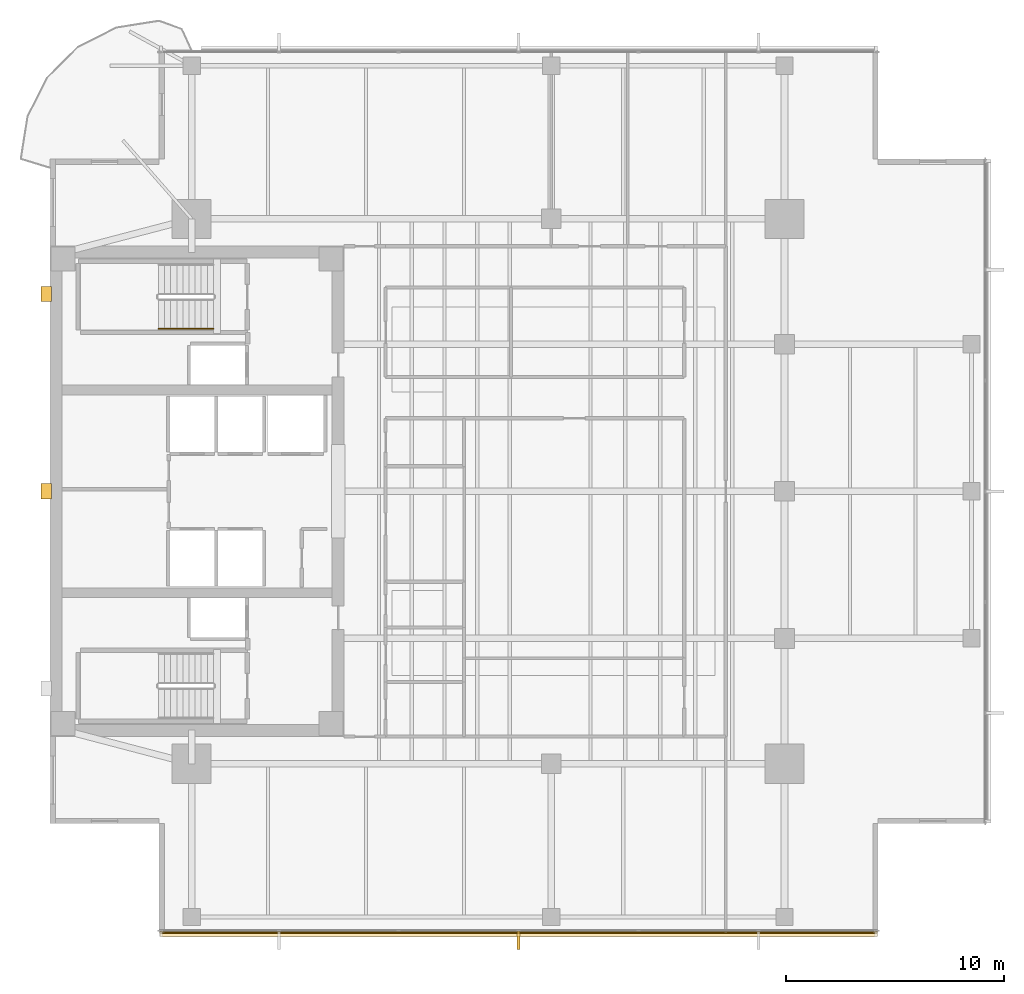
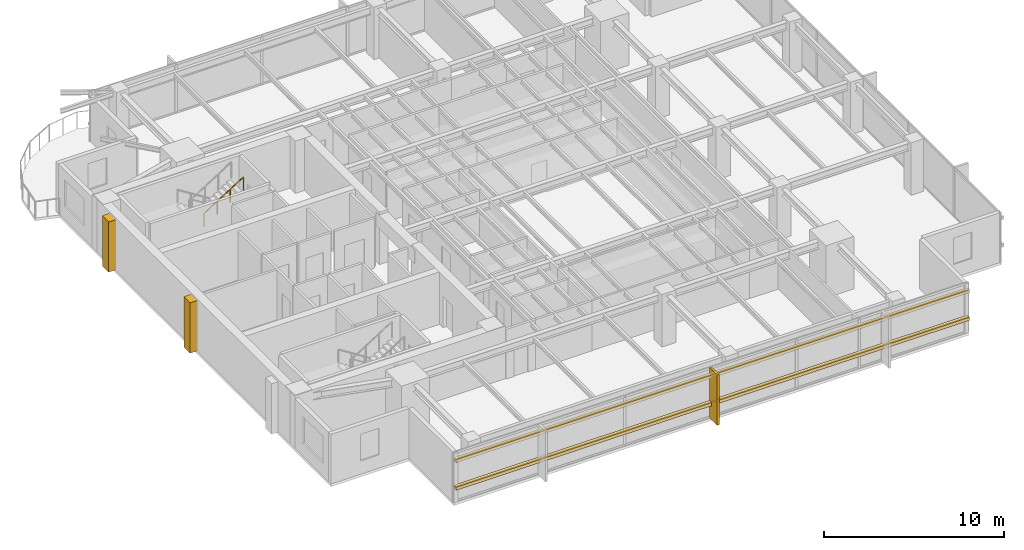
# One storey, part 12 of 14: 5 coverings, 2 shading devices, 1 railing.
"""IFC4 building model written with IfcOpenShell, lengths in metres."""

from ifc_helpers import new_model, si_unit, direction, frame, origin, origin_2d, place, context, subcontext, project, spatial, polyline, rectangle, circle, outline, extrude, material, layer, layer_set, material_profile, profile_set, type_object, element, save


model = new_model("IFC4")

# Units and contexts
model_context = context("Model", 3, precision=1e-05, world=origin(), true_north=direction((0.0, 1.0)))
body_context = subcontext(model_context, "Body", "Model", "MODEL_VIEW")
ifc_project = project(units=[si_unit("LENGTHUNIT", "METRE"), si_unit("AREAUNIT", "SQUARE_METRE"), si_unit("VOLUMEUNIT", "CUBIC_METRE"), si_unit("PLANEANGLEUNIT", "RADIAN"), si_unit("MASSUNIT", "GRAM", prefix="KILO")], contexts=[model_context])

# Site, building, storey
site_placement = place(None, origin())
site = spatial("IfcSite", under=ifc_project, at=site_placement, CompositionType="ELEMENT")
building_placement = place(site_placement, origin())
building = spatial("IfcBuilding", under=site, at=building_placement, Name="Kinhvarn Gate Tower", CompositionType="ELEMENT")
storey_placement = place(building_placement, frame((0.0, 0.0, 234.199951171875)))
storey = spatial("IfcBuildingStorey", under=building, at=storey_placement, Name="L62", CompositionType="ELEMENT", Elevation=234.199951171875)

# Coverings
ifc_material_1 = material(Name="Fired architectural terracotta", Category="masonry")
ifc_layer_1 = layer(ifc_material_1, 0.239990234375)
ifc_layer_set_1 = layer_set([ifc_layer_1], Name="Fired architectural terracotta")
covering_type_1 = type_object("IfcCoveringType", Name="COV-BAG-220", PredefinedType="CLADDING", material=ifc_layer_set_1)
covering_1_placement = place(storey_placement, frame((0.0, 0.0, 0.93994140625)))
element("IfcCovering", 1, at=covering_1_placement, inside=storey, type_object=covering_type_1, Name="Terracotta Horizontal Sunscreen Band TBG-220 (L62)", PredefinedType="CLADDING", context=body_context, shape_type="SweptSolid", body=[
    extrude(outline(polyline([(9.5400390625, 5.070068359375), (42.4599609375, 5.070068359375), (42.4599609375, 4.830078125), (9.5400390625, 4.830078125), (9.5400390625, 5.070068359375)])), origin(), (0.0, 0.0, 1.0), 0.22021484375),
])
covering_2_placement = place(storey_placement, frame((0.0, 0.0, 2.81005859375)))
element("IfcCovering", 2, at=covering_2_placement, inside=storey, type_object=covering_type_1, Name="Terracotta Horizontal Sunscreen Band TBG-220 (L62)", PredefinedType="CLADDING", context=body_context, shape_type="SweptSolid", body=[
    extrude(outline(polyline([(9.5400390625, 5.070068359375), (42.4599609375, 5.070068359375), (42.4599609375, 4.830078125), (9.5400390625, 4.830078125), (9.5400390625, 5.070068359375)])), origin(), (0.0, 0.0, 1.0), 0.219970703125),
])
ifc_layer_2 = layer(ifc_material_1, 0.139892578125)
ifc_layer_set_2 = layer_set([ifc_layer_2], Name="Fired architectural terracotta")
covering_type_2 = type_object("IfcCoveringType", Name="COV-FIN-850", PredefinedType="CLADDING", material=ifc_layer_set_2)
covering_3_placement = place(storey_placement, frame((0.0, 0.0, -0.02001953125)))
element("IfcCovering", 3, at=covering_3_placement, inside=storey, type_object=covering_type_2, Name="Vertical Terracotta Expressive Fin TFN-850 (L62)", PredefinedType="CLADDING", context=body_context, shape_type="SweptSolid", body=[
    extrude(outline(polyline([(25.929931640625, 5.080078125), (26.070068359375, 5.080078125), (26.070068359375, 4.22998046875), (25.929931640625, 4.22998046875), (25.929931640625, 5.080078125)])), origin(), (0.0, 0.0, 1.0), 3.41015625),
])
ifc_material_2 = material(Name="Precast white architectural concrete C40/50", Category="concrete")
ifc_layer_3 = layer(ifc_material_2, 0.47998046875)
ifc_layer_set_3 = layer_set([ifc_layer_3], Name="Precast white architectural concrete C40/50")
covering_type_3 = type_object("IfcCoveringType", Name="COV-RIB-450", PredefinedType="CLADDING", material=ifc_layer_set_3)
covering_4_placement = place(storey_placement, frame((0.0, 0.0, -0.02001953125)))
element("IfcCovering", 4, at=covering_4_placement, inside=storey, type_object=covering_type_3, Name="West Core Sculptural Concrete Relief Rib CRB-450 (L62)", PredefinedType="CLADDING", context=body_context, shape_type="SweptSolid", body=[
    extrude(outline(polyline([(4.080078125, 24.89990234375), (4.56005859375, 24.89990234375), (4.56005859375, 25.60009765625), (4.080078125, 25.60009765625), (4.080078125, 24.89990234375)])), origin(), (0.0, 0.0, 1.0), 3.41015625),
])
covering_5_placement = place(storey_placement, frame((0.0, 0.0, -0.02001953125)))
element("IfcCovering", 5, at=covering_5_placement, inside=storey, type_object=covering_type_3, Name="West Core Sculptural Concrete Relief Rib CRB-450 (L62)", PredefinedType="CLADDING", context=body_context, shape_type="SweptSolid", body=[
    extrude(outline(polyline([(4.080078125, 33.949951171875), (4.56005859375, 33.949951171875), (4.56005859375, 34.64990234375), (4.080078125, 34.64990234375), (4.080078125, 33.949951171875)])), origin(), (0.0, 0.0, 1.0), 3.41015625),
])

# Railing
ifc_material_3 = material(Name="Steel S355", Category="steel")
railing_type = type_object("IfcRailingType", Name="RL-ST-HND", PredefinedType="HANDRAIL", material=ifc_material_3)
railing_placement = place(storey_placement, frame((9.47998046875, 32.699951171875, 1.95263671875)))
element("IfcRailing", 6, at=railing_placement, inside=storey, type_object=railing_type, Name="L62 ST2 stair handrail 2", PredefinedType="HANDRAIL", context=body_context, shape_type="SweptSolid", body=[
    extrude(circle(Radius=0.02392578125, at=origin_2d()), frame((0.0, 0.0, 0.8759765625), z_axis=(0.84460694969, 0.0, 0.535386869969), x_axis=(0.0, 1.0, 0.0)), (0.0, 0.0, 1.0), 2.983642578125),
    extrude(circle(Radius=0.02099609375, at=origin_2d()), origin(), (0.0, 0.0, 1.0), 0.851806640625),
    extrude(circle(Radius=0.02099609375, at=origin_2d()), frame((0.840087890625, 0.0, 0.532470703125)), (0.0, 0.0, 1.0), 0.851806640625),
    extrude(circle(Radius=0.02099609375, at=origin_2d()), frame((1.679931640625, 0.0, 1.06494140625)), (0.0, 0.0, 1.0), 0.851806640625),
    extrude(circle(Radius=0.02099609375, at=origin_2d()), frame((2.52001953125, 0.0, 1.597412109375)), (0.0, 0.0, 1.0), 0.851806640625),
])

# Shading devices
ifc_material_profile = material_profile(ifc_material_1, rectangle(XDim=0.050048828125, YDim=0.1201171875, at=origin_2d()), Name="TC 50x120")
ifc_profile_set = profile_set([ifc_material_profile], Name="Fired architectural terracotta")
shading_device_type = type_object("IfcShadingDeviceType", Name="SHD-BAG-140", PredefinedType="USERDEFINED", material=ifc_profile_set)
for number, where, z_axis, x_axis, name in (
    (7, (9.5400390625, 5.0, 1.050048828125), (1.0, 0.0, 0.0), (0.0, 1.0, 0.0), "Upper Tower Terracotta Baguette Screen Rod 50x120 mm (L62)"),
    (8, (9.5400390625, 5.0, 2.920166015625), (1.0, 0.0, 0.0), (0.0, 1.0, 0.0), "Upper Tower Terracotta Baguette Screen Rod 50x120 mm (L62)"),
):
    element("IfcShadingDevice", number, at=place(storey_placement, frame(where, z_axis=z_axis, x_axis=x_axis)), inside=storey, type_object=shading_device_type, Name=name, ObjectType="BAGUETTE", PredefinedType="USERDEFINED", context=body_context, shape_type="SweptSolid", body=[
        extrude(rectangle(XDim=0.050048828125, YDim=0.1201171875, at=origin_2d()), origin(), (0.0, 0.0, 1.0), 32.919921875),
    ])

save(model, "model.ifc")
